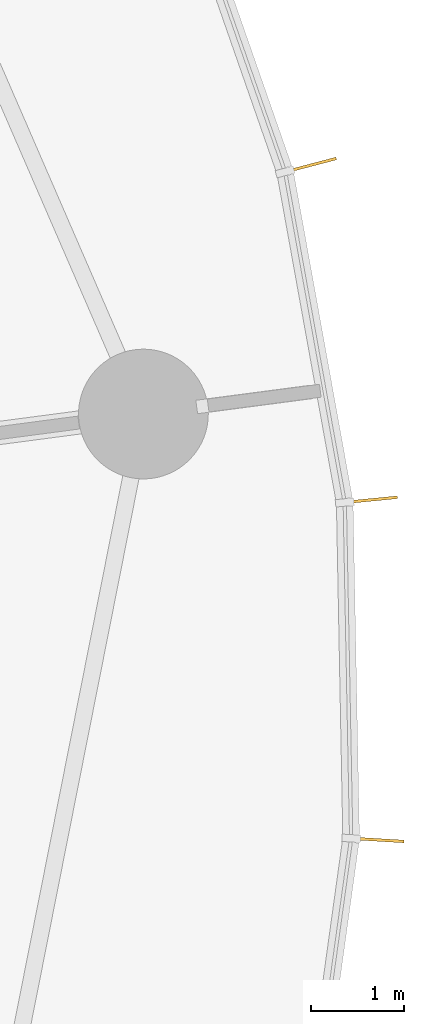
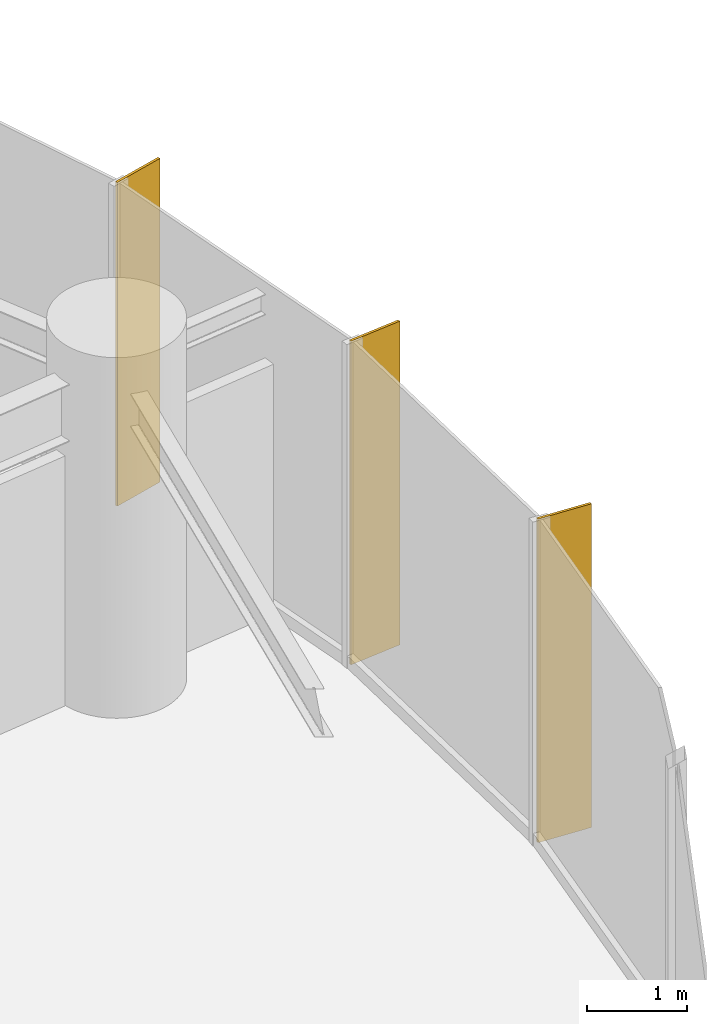
# One storey, part 17 of 17: 3 shading devices.
"""IFC4 building model written with IfcOpenShell, lengths in metres."""

from ifc_helpers import new_model, si_unit, direction, frame, origin, origin_2d, place, context, subcontext, project, spatial, rectangle, extrude, source, transform, mapped, material, material_profile, profile_set, type_object, element, save


model = new_model("IFC4")

# Units and contexts
model_context = context("Model", 3, precision=1e-05, world=origin(), true_north=direction((0.0, 1.0)))
body_context = subcontext(model_context, "Body", "Model", "MODEL_VIEW")
ifc_project = project(units=[si_unit("LENGTHUNIT", "METRE"), si_unit("AREAUNIT", "SQUARE_METRE"), si_unit("VOLUMEUNIT", "CUBIC_METRE"), si_unit("PLANEANGLEUNIT", "RADIAN"), si_unit("MASSUNIT", "GRAM", prefix="KILO")], contexts=[model_context])

# Site, building, storey
site_placement = place(None, origin())
site = spatial("IfcSite", under=ifc_project, at=site_placement, CompositionType="ELEMENT")
building_placement = place(site_placement, origin())
building = spatial("IfcBuilding", under=site, at=building_placement, Name="Spindrift Exchange Tower", CompositionType="ELEMENT")
storey_placement = place(building_placement, frame((0.0, 0.0, 35.800048828125)))
storey = spatial("IfcBuildingStorey", under=building, at=storey_placement, Name="L08", CompositionType="ELEMENT", Elevation=35.800048828125)

# Shading devices
ifc_material = material(Name="Bronze anodised aluminium", Category="aluminium")
ifc_material_profile = material_profile(ifc_material, rectangle(XDim=0.030029296875, YDim=0.60009765625, at=origin_2d()), Name="WIND FIN 30X600")
ifc_profile_set = profile_set([ifc_material_profile], Name="Bronze anodised aluminium")
shading_device_type = type_object("IfcShadingDeviceType", Name="WIND FIN 30X600", PredefinedType="USERDEFINED", material=ifc_profile_set)
shared_shape = source(origin(), body_context, "Body", "SweptSolid", [
    extrude(rectangle(XDim=0.030029296875, YDim=0.60009765625, at=origin_2d()), origin(), (0.0, 0.0, 1.0), 3.949951171875),
])
for number, where, z_axis, x_axis, name in (
    (1, (90.431640625, 51.810546875, 0.0), (0.0, 0.0, 1.0), (-0.098675413418, 0.995119672596, 0.0), "L08 wind fin 2"),
    (2, (89.7802734375, 55.419189453125, 0.0), (0.0, 0.0, 1.0), (-0.254277873712, 0.967131202547, 0.0), "L08 wind fin 3"),
    (3, (90.501708984375, 48.14404296875, 0.0), (0.0, 0.0, 1.0), (0.059417877665, 0.998233197111, 0.0), "L08 wind fin 4"),
):
    element("IfcShadingDevice", number, at=place(storey_placement, frame(where, z_axis=z_axis, x_axis=x_axis)), inside=storey, type_object=shading_device_type, Name=name, ObjectType="FIN", PredefinedType="USERDEFINED", context=body_context, shape_type="MappedRepresentation", body=[
        mapped(shared_shape, transform((0.0, 0.0, 0.0), scale=1.0)),
    ])

save(model, "model.ifc")
